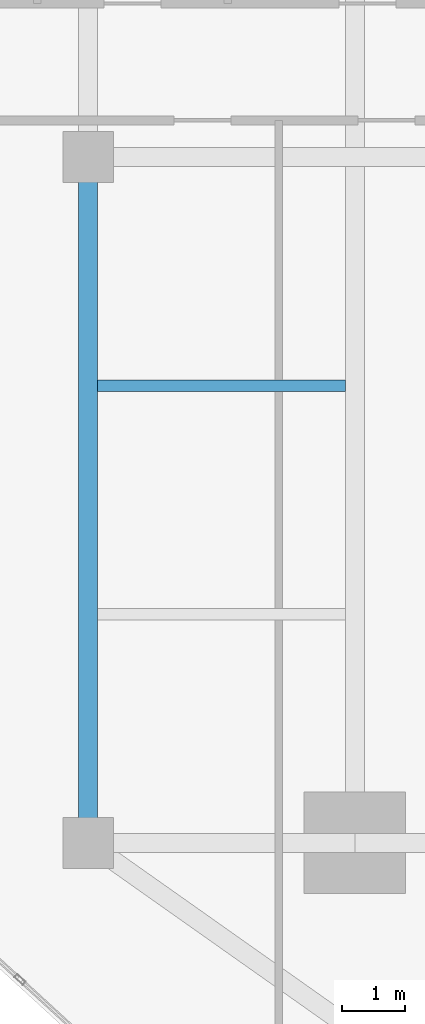
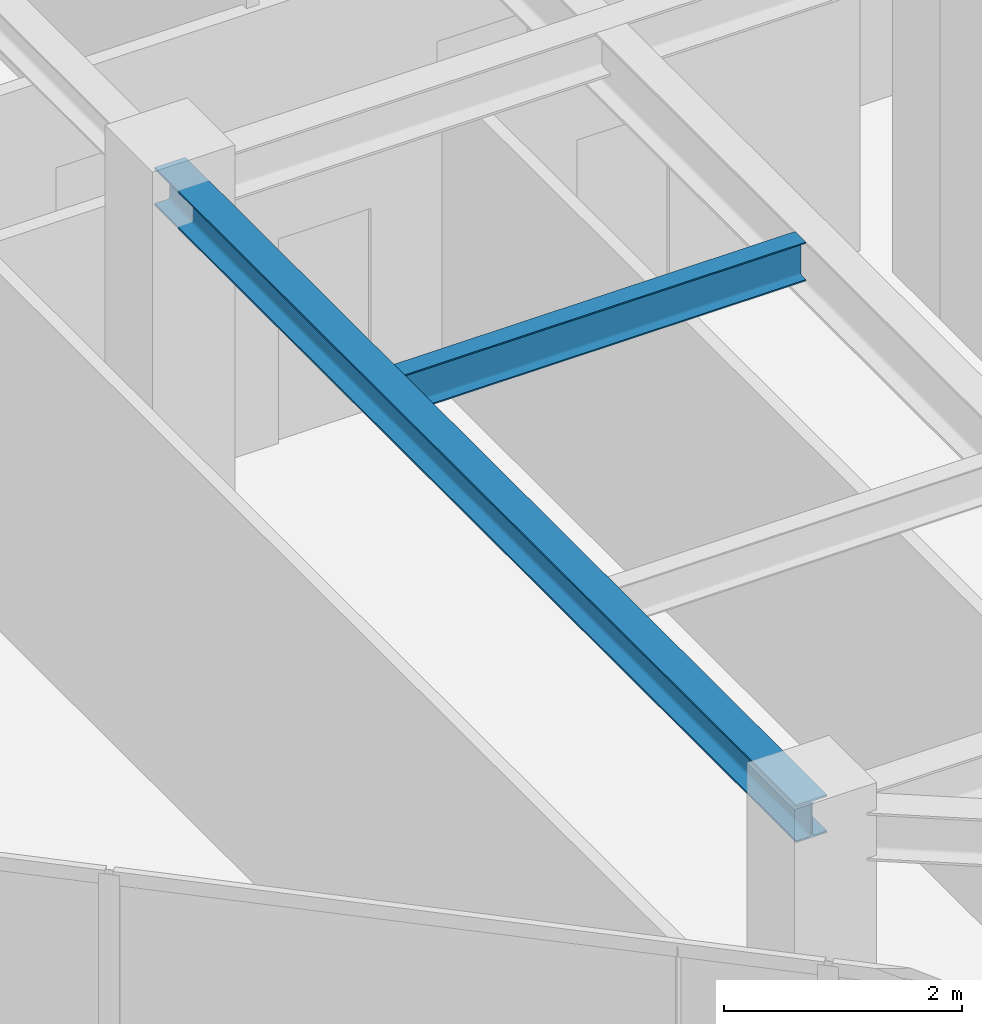
# One storey, part 7 of 26: 2 beams.
"""IFC4 building model written with IfcOpenShell, lengths in metres."""

from ifc_helpers import new_model, si_unit, direction, frame, origin, origin_2d, place, context, subcontext, project, spatial, i_section, extrude, source, transform, mapped, material, material_profile, profile_set, type_object, type_shapes, element, save


model = new_model("IFC4")

# Units and contexts
model_context = context("Model", 3, precision=1e-05, world=origin(), true_north=direction((0.0, 1.0)))
body_context = subcontext(model_context, "Body", "Model", "MODEL_VIEW")
ifc_project = project(units=[si_unit("LENGTHUNIT", "METRE"), si_unit("AREAUNIT", "SQUARE_METRE"), si_unit("VOLUMEUNIT", "CUBIC_METRE"), si_unit("PLANEANGLEUNIT", "RADIAN"), si_unit("MASSUNIT", "GRAM", prefix="KILO")], contexts=[model_context])

# Site, building, storey
site_placement = place(None, origin())
site = spatial("IfcSite", under=ifc_project, at=site_placement, CompositionType="ELEMENT")
building_placement = place(site_placement, origin())
building = spatial("IfcBuilding", under=site, at=building_placement, Name="Krantzveldt Concourse Tower", CompositionType="ELEMENT")
storey_placement = place(building_placement, frame((0.0, 0.0, 223.10009765625)))
storey = spatial("IfcBuildingStorey", under=building, at=storey_placement, Name="L54", CompositionType="ELEMENT", Elevation=223.10009765625)

# Beams
ifc_material = material(Name="Steel S355JR", Category="steel")
ifc_material_profile_1 = material_profile(ifc_material, i_section(OverallWidth=0.300048828125, OverallDepth=0.389892578125, WebThickness=0.010986328125, FlangeThickness=0.01904296875, FilletRadius=0.027099609375, at=origin_2d()), Name="Steel S355JR", Category="steel")
ifc_profile_set_1 = profile_set([ifc_material_profile_1], Name="Steel S355JR - HEA 400")
beam_type_1 = type_object("IfcBeamType", Name="BM-SP-HEA400", PredefinedType="SPANDREL", material=ifc_profile_set_1)
shared_shape_1 = source(origin(), body_context, "Body", "SweptSolid", [
    extrude(i_section(OverallWidth=0.300048828125, OverallDepth=0.389892578125, WebThickness=0.010986328125, FlangeThickness=0.01904296875, FilletRadius=0.027099609375, at=origin_2d()), origin(), (0.0, 0.0, 1.0), 10.800048828125),
])
type_shapes(beam_type_1, [shared_shape_1])
beam_1_placement = place(storey_placement, frame((21.0, 15.89990234375, 3.474853515625), z_axis=(0.0, 1.0, 0.0), x_axis=(-1.0, 0.0, 0.0)))
element("IfcBeam", 1, at=beam_1_placement, inside=storey, type_object=beam_type_1, Name="L54 Tower Girder SP-R01", PredefinedType="SPANDREL", context=body_context, shape_type="MappedRepresentation", body=[
    mapped(shared_shape_1, transform((0.0, 0.0, 0.0), x_axis=(1.0, 0.0, 0.0), y_axis=(0.0, 1.0, 0.0), z_axis=(0.0, 0.0, 1.0), scale=1.0)),
])
ifc_material_profile_2 = material_profile(ifc_material, i_section(OverallWidth=0.179931640625, OverallDepth=0.39990234375, WebThickness=0.008544921875, FlangeThickness=0.013427734375, FilletRadius=0.02099609375, at=origin_2d()), Name="Steel S355JR", Category="steel")
ifc_profile_set_2 = profile_set([ifc_material_profile_2], Name="Steel S355JR - IPE 400")
beam_type_2 = type_object("IfcBeamType", Name="BM-J-IPE400", PredefinedType="JOIST", material=ifc_profile_set_2)
shared_shape_2 = source(origin(), body_context, "Body", "SweptSolid", [
    extrude(i_section(OverallWidth=0.179931640625, OverallDepth=0.39990234375, WebThickness=0.008544921875, FlangeThickness=0.013427734375, FilletRadius=0.02099609375, at=origin_2d()), origin(), (0.0, 0.0, 1.0), 3.900146484375),
])
type_shapes(beam_type_2, [shared_shape_2])
beam_2_placement = place(storey_placement, frame((21.14990234375, 23.10009765625, 3.469970703125), z_axis=(1.0, 0.0, 0.0), x_axis=(0.0, 1.0, 0.0)))
element("IfcBeam", 2, at=beam_2_placement, inside=storey, type_object=beam_type_2, Name="L54 Secondary Floor Joist JW-2", PredefinedType="JOIST", context=body_context, shape_type="MappedRepresentation", body=[
    mapped(shared_shape_2, transform((0.0, 0.0, 0.0), x_axis=(1.0, 0.0, 0.0), y_axis=(0.0, 1.0, 0.0), z_axis=(0.0, 0.0, 1.0), scale=1.0)),
])

save(model, "model.ifc")
